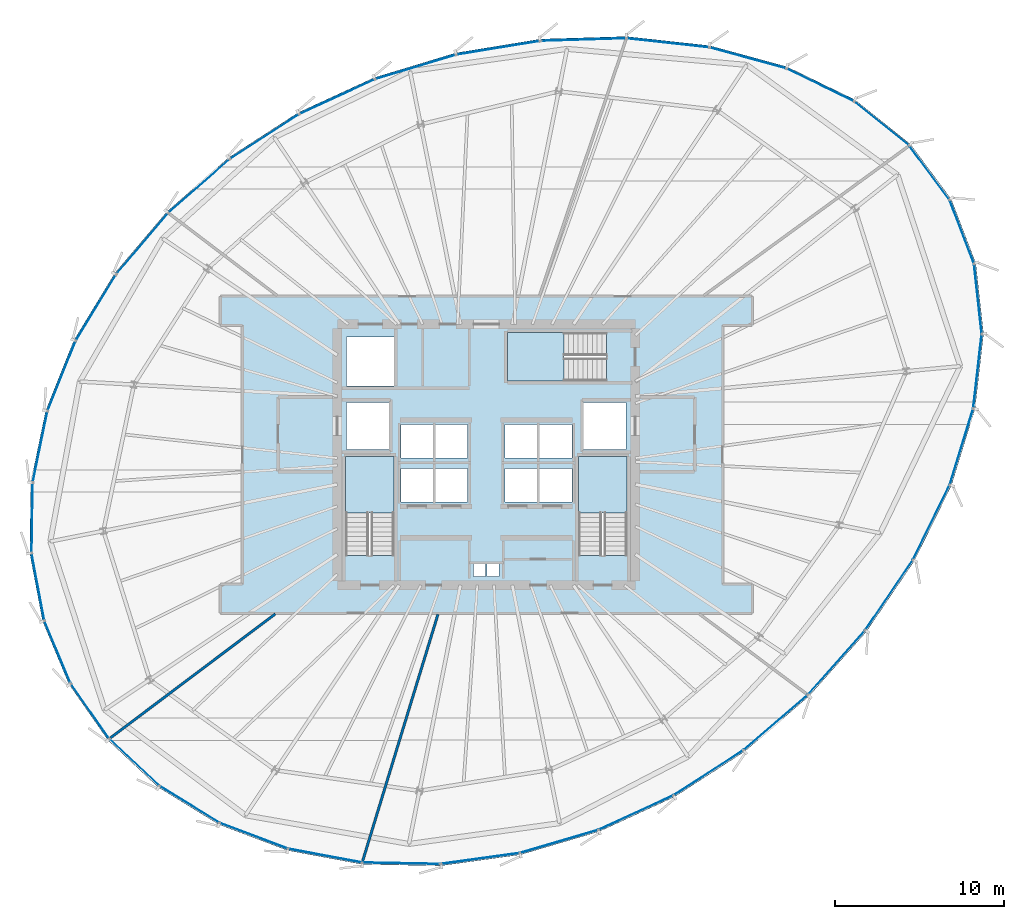
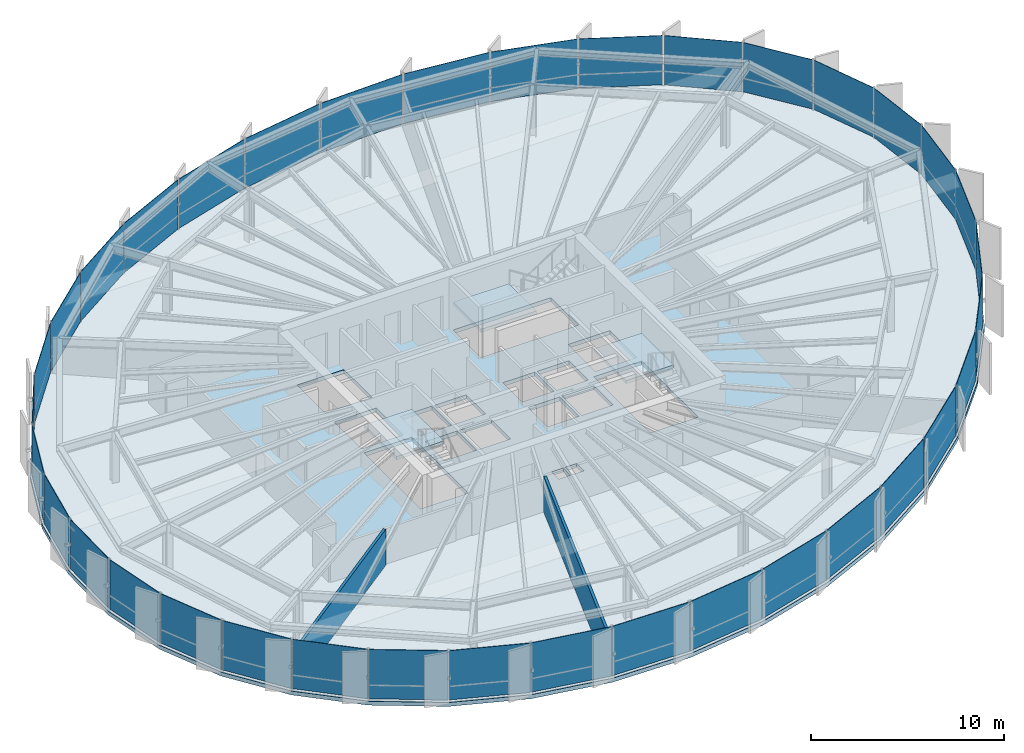
# One storey, part 28 of 36: 36 plates, 4 slabs, 2 walls, 9 elements without a shape of their own.
"""IFC4 building model written with IfcOpenShell, lengths in metres."""

from ifc_helpers import new_model, si_unit, direction, frame, frame_2d, origin, origin_2d, place, context, subcontext, project, spatial, polyline, rectangle, outline, extrude, source, transform, mapped, material, layer, layer_set, type_object, element, aggregate, save


model = new_model("IFC4")

# Units and contexts
model_context = context("Model", 3, precision=1e-05, world=origin(), true_north=direction((0.0, 1.0)))
body_context = subcontext(model_context, "Body", "Model", "MODEL_VIEW")
ifc_project = project(units=[si_unit("LENGTHUNIT", "METRE"), si_unit("AREAUNIT", "SQUARE_METRE"), si_unit("VOLUMEUNIT", "CUBIC_METRE"), si_unit("PLANEANGLEUNIT", "RADIAN"), si_unit("MASSUNIT", "GRAM", prefix="KILO"), si_unit("THERMODYNAMICTEMPERATUREUNIT", "KELVIN")], contexts=[model_context])

# Site, building, storey
site_placement = place(None, origin())
site = spatial("IfcSite", under=ifc_project, at=site_placement, CompositionType="ELEMENT")
building_placement = place(site_placement, origin())
building = spatial("IfcBuilding", under=site, at=building_placement, Name="Kethvar Cultural Tower", CompositionType="ELEMENT")
storey_placement = place(building_placement, frame((0.0, 0.0, 150.10009765625)))
storey = spatial("IfcBuildingStorey", under=building, at=storey_placement, Name="L38", CompositionType="ELEMENT", Elevation=150.10009765625)

# Stair, slab
ifc_material_1 = material(Name="Concrete C40/50", Category="concrete")
stair_type = type_object("IfcStairType", Name="ST-DOGLEG-135", PredefinedType="HALF_TURN_STAIR", material=ifc_material_1)
stair_1_placement = place(storey_placement, origin())
stair_1 = element("IfcStair", 1, at=stair_1_placement, inside=storey, type_object=stair_type, Name="L38 Core Exit Stair 1", PredefinedType="HALF_TURN_STAIR")
ifc_layer_1 = layer(ifc_material_1, 0.199951171875, Name="Concrete C40/50", Category="concrete")
ifc_layer_set_1 = layer_set([ifc_layer_1], Name="Concrete C40/50 (200 mm)")
slab_type_1 = type_object("IfcSlabType", Name="SL-STAIR-LANDING-200", PredefinedType="LANDING", material=ifc_layer_set_1)
slab_1_placement = place(storey_placement, frame((0.0, 0.0, 1.574951171875)))
slab_1 = element("IfcSlab", 2, at=slab_1_placement, type_object=slab_type_1, Name="ST-01 landing 1", PredefinedType="LANDING", context=body_context, shape_type="SweptSolid", body=[
    extrude(outline(polyline([(41.35009765625, 24.3701171875), (41.35009765625, 27.699951171875), (38.489990234375, 27.699951171875), (38.489990234375, 24.3701171875), (41.35009765625, 24.3701171875)])), origin(), (0.0, 0.0, 1.0), 0.199951171875),
])
aggregate(stair_1, [slab_1])

stair_2_placement = place(storey_placement, origin())
stair_2 = element("IfcStair", 3, at=stair_2_placement, inside=storey, type_object=stair_type, Name="L38 Core Exit Stair 2", PredefinedType="HALF_TURN_STAIR")
slab_2_placement = place(storey_placement, frame((0.0, 0.0, 1.574951171875)))
slab_2 = element("IfcSlab", 4, at=slab_2_placement, type_object=slab_type_1, Name="ST-02 landing 1", PredefinedType="LANDING", context=body_context, shape_type="SweptSolid", body=[
    extrude(outline(polyline([(55.110107421875, 24.3701171875), (55.110107421875, 27.699951171875), (52.25, 27.699951171875), (52.25, 24.3701171875), (55.110107421875, 24.3701171875)])), origin(), (0.0, 0.0, 1.0), 0.199951171875),
])
aggregate(stair_2, [slab_2])

stair_3_placement = place(storey_placement, origin())
stair_3 = element("IfcStair", 5, at=stair_3_placement, inside=storey, type_object=stair_type, Name="L38 Core Exit Stair 3", PredefinedType="HALF_TURN_STAIR")
slab_3_placement = place(storey_placement, frame((0.0, 0.0, 1.574951171875)))
slab_3 = element("IfcSlab", 6, at=slab_3_placement, type_object=slab_type_1, Name="ST-03 landing 1", PredefinedType="LANDING", context=body_context, shape_type="SweptSolid", body=[
    extrude(outline(polyline([(51.3798828125, 35.010009765625), (48.050048828125, 35.010009765625), (48.050048828125, 32.14990234375), (51.3798828125, 32.14990234375), (51.3798828125, 35.010009765625)])), origin(), (0.0, 0.0, 1.0), 0.199951171875),
])
aggregate(stair_3, [slab_3])

# Slab
ifc_layer_2 = layer(ifc_material_1, 0.25, Name="Concrete C40/50", Category="concrete")
ifc_layer_set_2 = layer_set([ifc_layer_2], Name="Concrete C40/50 (250 mm)")
slab_type_2 = type_object("IfcSlabType", Name="SL-TOW-250", PredefinedType="FLOOR", material=ifc_layer_set_2)
slab_4_placement = place(storey_placement, frame((0.0, 0.0, -0.25)))
element("IfcSlab", 7, at=slab_4_placement, inside=storey, type_object=slab_type_2, Name="L38 Structural Floor Slab", PredefinedType="FLOOR", context=body_context, shape_type="SweptSolid", body=[
    extrude(outline(polyline([(74.256103515625, 42.894287109375), (71.84716796875, 46.1396484375), (68.56591796875, 48.7666015625), (64.551513671875, 50.71728515625), (59.9833984375, 51.9638671875), (55.064208984375, 52.503173828125), (50.0, 52.350341796875), (44.9833984375, 51.531005859375), (40.1748046875, 50.07470703125), (35.68994140625, 48.009033203125), (31.577880859375, 45.3486328125), (27.928466796875, 42.155029296875), (24.852294921875, 38.525390625), (22.443115234375, 34.569580078125), (20.774169921875, 30.408203125), (19.895751953125, 26.167724609375), (19.834716796875, 21.976806640625), (20.59326171875, 17.962646484375), (22.14794921875, 14.247314453125), (24.451904296875, 10.944091796875), (27.4345703125, 8.15283203125), (31.005859375, 5.95849609375), (35.056884765625, 4.427978515625), (39.46484375, 3.607421875), (44.095703125, 3.522216796875), (48.80859375, 4.17431640625), (53.46044921875, 5.544677734375), (57.909912109375, 7.5908203125), (62.057373046875, 10.270751953125), (65.86328125, 13.55029296875), (69.243408203125, 17.34716796875), (72.085693359375, 21.541015625), (74.26611328125, 25.9833984375), (75.66162109375, 30.50830078125), (76.16552734375, 34.94287109375), (75.70556640625, 39.12109375), (74.256103515625, 42.894287109375)]), holes=[polyline([(38.489990234375, 21.85009765625), (38.489990234375, 27.699951171875), (41.35009765625, 27.699951171875), (41.35009765625, 21.85009765625), (38.489990234375, 21.85009765625)]), polyline([(52.25, 21.85009765625), (52.25, 27.699951171875), (55.110107421875, 27.699951171875), (55.110107421875, 21.85009765625), (52.25, 21.85009765625)]), polyline([(53.89990234375, 32.14990234375), (48.050048828125, 32.14990234375), (48.050048828125, 35.010009765625), (53.89990234375, 35.010009765625), (53.89990234375, 32.14990234375)]), polyline([(41.75, 27.0), (43.64990234375, 27.0), (43.64990234375, 25.0), (41.75, 25.0), (41.75, 27.0)]), polyline([(43.800048828125, 27.0), (45.699951171875, 27.0), (45.699951171875, 25.0), (43.800048828125, 25.0), (43.800048828125, 27.0)]), polyline([(47.89990234375, 27.0), (49.800048828125, 27.0), (49.800048828125, 25.0), (47.89990234375, 25.0), (47.89990234375, 27.0)]), polyline([(49.949951171875, 27.0), (51.85009765625, 27.0), (51.85009765625, 25.0), (49.949951171875, 25.0), (49.949951171875, 27.0)]), polyline([(41.75, 29.60009765625), (43.64990234375, 29.60009765625), (43.64990234375, 27.60009765625), (41.75, 27.60009765625), (41.75, 29.60009765625)]), polyline([(43.800048828125, 29.60009765625), (45.699951171875, 29.60009765625), (45.699951171875, 27.60009765625), (43.800048828125, 27.60009765625), (43.800048828125, 29.60009765625)]), polyline([(47.89990234375, 29.60009765625), (49.800048828125, 29.60009765625), (49.800048828125, 27.60009765625), (47.89990234375, 27.60009765625), (47.89990234375, 29.60009765625)]), polyline([(49.949951171875, 29.60009765625), (51.85009765625, 29.60009765625), (51.85009765625, 27.60009765625), (49.949951171875, 27.60009765625), (49.949951171875, 29.60009765625)]), polyline([(38.550048828125, 30.89990234375), (41.050048828125, 30.89990234375), (41.050048828125, 28.10009765625), (38.550048828125, 28.10009765625), (38.550048828125, 30.89990234375)]), polyline([(52.550048828125, 30.89990234375), (55.050048828125, 30.89990234375), (55.050048828125, 28.10009765625), (52.550048828125, 28.10009765625), (52.550048828125, 30.89990234375)]), polyline([(38.550048828125, 34.75), (41.35009765625, 34.75), (41.35009765625, 31.85009765625), (38.550048828125, 31.85009765625), (38.550048828125, 34.75)]), polyline([(46.050048828125, 21.35009765625), (46.75, 21.35009765625), (46.75, 20.60009765625), (46.050048828125, 20.60009765625), (46.050048828125, 21.35009765625)]), polyline([(46.85009765625, 21.35009765625), (47.550048828125, 21.35009765625), (47.550048828125, 20.60009765625), (46.85009765625, 20.60009765625), (46.85009765625, 21.35009765625)])]), origin(), (0.0, 0.0, 1.0), 0.25),
])

# Curtain wall, plate
ifc_material_2 = material(Name="Aluminium 6063-T6", Category="aluminium")
ifc_layer_3 = layer(ifc_material_2, 0.179931640625, Name="Aluminium 6063-T6", Category="aluminium")
ifc_layer_set_3 = layer_set([ifc_layer_3], Name="Aluminium 6063-T6 (180 mm)")
curtain_wall_type = type_object("IfcCurtainWallType", Name="CW-SYS-04-Z34", PredefinedType="NOTDEFINED", material=ifc_layer_set_3)
curtain_wall_1_placement = place(storey_placement, origin())
curtain_wall_1 = element("IfcCurtainWall", 8, at=curtain_wall_1_placement, inside=storey, type_object=curtain_wall_type, Name="L38 Curtain Wall Run 01", PredefinedType="NOTDEFINED")
ifc_material_3 = material(Name="Insulated Low-E Solar Glass", Category="glass")
ifc_layer_4 = layer(ifc_material_3, 0.030029296875, Name="Insulated Low-E Solar Glass", Category="glass")
ifc_layer_set_4 = layer_set([ifc_layer_4], Name="Insulated Low-E Solar Glass (30 mm)")
plate_type = type_object("IfcPlateType", Name="CW-SYS-04-Z34-PNL", PredefinedType="CURTAIN_PANEL", material=ifc_layer_set_4)
shared_shape_1 = source(origin(), body_context, "Body", "SweptSolid", [
    extrude(rectangle(XDim=3.95556640625, YDim=0.030029296875, at=origin_2d()), origin(), (0.0, 0.0, 1.0), 3.1201171875),
])
plate_1_placement = place(storey_placement, frame((72.96337890625, 44.451416015625, 0.08984375), z_axis=(0.0, 0.0, 1.0), x_axis=(-0.596028691853, 0.802963136444, 0.0)))
plate_1 = element("IfcPlate", 9, at=plate_1_placement, type_object=plate_type, Name="CW-L38-R01 Vision Glazing Panel 1", PredefinedType="CURTAIN_PANEL", context=body_context, shape_type="MappedRepresentation", body=[
    mapped(shared_shape_1, transform((0.0, 0.0, 0.0), scale=1.0)),
])

curtain_wall_2_placement = place(storey_placement, origin())
curtain_wall_2 = element("IfcCurtainWall", 10, at=curtain_wall_2_placement, inside=storey, type_object=curtain_wall_type, Name="L38 Curtain Wall Run 06", PredefinedType="NOTDEFINED")
plate_2_placement = place(storey_placement, frame((74.878173828125, 40.96826171875, 0.08984375), z_axis=(0.0, 0.0, 1.0), x_axis=(-0.358596055577, 0.933492832819, 0.0)))
plate_2 = element("IfcPlate", 11, at=plate_2_placement, type_object=plate_type, Name="CW-L38-R06 Vision Glazing Panel 6", PredefinedType="CURTAIN_PANEL", context=body_context, shape_type="MappedRepresentation", body=[
    mapped(shared_shape_1, transform((0.0, 0.0, 0.0), scale=1.0)),
])

# Plate
shared_shape_2 = source(origin(), body_context, "Body", "SweptSolid", [
    extrude(rectangle(XDim=4.116943359375, YDim=0.030029296875, at=origin_2d()), origin(), (0.0, 0.0, 1.0), 3.1201171875),
])
plate_3_placement = place(storey_placement, frame((70.1376953125, 47.3671875, 0.08984375), z_axis=(0.0, 0.0, 1.0), x_axis=(-0.78063770274, 0.624983821439, 0.0)))
plate_3 = element("IfcPlate", 12, at=plate_3_placement, type_object=plate_type, Name="CW-L38-R01 Vision Glazing Panel 2", PredefinedType="CURTAIN_PANEL", context=body_context, shape_type="MappedRepresentation", body=[
    mapped(shared_shape_2, transform((0.0, 0.0, 0.0), scale=1.0)),
])

plate_4_placement = place(storey_placement, frame((75.826171875, 37.02001953125, 0.08984375), z_axis=(0.0, 0.0, 1.0), x_axis=(-0.109404695129, 0.993997290079, 0.0)))
plate_4 = element("IfcPlate", 13, at=plate_4_placement, type_object=plate_type, Name="CW-L38-R06 Vision Glazing Panel 5", PredefinedType="CURTAIN_PANEL", context=body_context, shape_type="MappedRepresentation", body=[
    mapped(shared_shape_2, transform((0.0, 0.0, 0.0), scale=1.0)),
])

shared_shape_3 = source(origin(), body_context, "Body", "SweptSolid", [
    extrude(rectangle(XDim=4.376953125, YDim=0.030029296875, at=origin_2d()), origin(), (0.0, 0.0, 1.0), 3.1201171875),
])
plate_5_placement = place(storey_placement, frame((66.510498046875, 49.64306640625, 0.08984375), z_axis=(0.0, 0.0, 1.0), x_axis=(-0.899435765812, 0.437052975254, 0.0)))
plate_5 = element("IfcPlate", 14, at=plate_5_placement, type_object=plate_type, Name="CW-L38-R01 Vision Glazing Panel 3", PredefinedType="CURTAIN_PANEL", context=body_context, shape_type="MappedRepresentation", body=[
    mapped(shared_shape_3, transform((0.0, 0.0, 0.0), scale=1.0)),
])

shared_shape_4 = source(origin(), body_context, "Body", "SweptSolid", [
    extrude(rectangle(XDim=4.648681640625, YDim=0.030029296875, at=origin_2d()), origin(), (0.0, 0.0, 1.0), 3.1201171875),
])
plate_6_placement = place(storey_placement, frame((62.238525390625, 51.234619140625, 0.08984375), z_axis=(0.0, 0.0, 1.0), x_axis=(-0.96473221354, 0.263233273272, 0.0)))
plate_6 = element("IfcPlate", 15, at=plate_6_placement, type_object=plate_type, Name="CW-L38-R01 Vision Glazing Panel 4", PredefinedType="CURTAIN_PANEL", context=body_context, shape_type="MappedRepresentation", body=[
    mapped(shared_shape_4, transform((0.0, 0.0, 0.0), scale=1.0)),
])

plate_7_placement = place(storey_placement, frame((74.85888671875, 28.2783203125, 0.08984375), z_axis=(0.0, 0.0, 1.0), x_axis=(0.294674166449, 0.955597789673, 0.0)))
plate_7 = element("IfcPlate", 16, at=plate_7_placement, type_object=plate_type, Name="CW-L38-R06 Vision Glazing Panel 3", PredefinedType="CURTAIN_PANEL", context=body_context, shape_type="MappedRepresentation", body=[
    mapped(shared_shape_4, transform((0.0, 0.0, 0.0), scale=1.0)),
])

shared_shape_5 = source(origin(), body_context, "Body", "SweptSolid", [
    extrude(rectangle(XDim=4.8623046875, YDim=0.030029296875, at=origin_2d()), origin(), (0.0, 0.0, 1.0), 3.1201171875),
])
plate_8_placement = place(storey_placement, frame((57.51171875, 52.1240234375, 0.08984375), z_axis=(0.0, 0.0, 1.0), x_axis=(-0.994044932259, 0.108970971591, 0.0)))
plate_8 = element("IfcPlate", 17, at=plate_8_placement, type_object=plate_type, Name="CW-L38-R01 Vision Glazing Panel 5", PredefinedType="CURTAIN_PANEL", context=body_context, shape_type="MappedRepresentation", body=[
    mapped(shared_shape_5, transform((0.0, 0.0, 0.0), scale=1.0)),
])

plate_9_placement = place(storey_placement, frame((73.0771484375, 23.810791015625, 0.08984375), z_axis=(0.0, 0.0, 1.0), x_axis=(0.44061300803, 0.897697152248, 0.0)))
plate_9 = element("IfcPlate", 18, at=plate_9_placement, type_object=plate_type, Name="CW-L38-R06 Vision Glazing Panel 2", PredefinedType="CURTAIN_PANEL", context=body_context, shape_type="MappedRepresentation", body=[
    mapped(shared_shape_5, transform((0.0, 0.0, 0.0), scale=1.0)),
])

shared_shape_6 = source(origin(), body_context, "Body", "SweptSolid", [
    extrude(rectangle(XDim=4.97998046875, YDim=0.030029296875, at=origin_2d()), origin(), (0.0, 0.0, 1.0), 3.1201171875),
])
plate_10_placement = place(storey_placement, frame((52.535400390625, 52.31689453125, 0.08984375), z_axis=(0.0, 0.0, 1.0), x_axis=(-0.999545769248, -0.030137272261, 0.0)))
plate_10 = element("IfcPlate", 19, at=plate_10_placement, type_object=plate_type, Name="CW-L38-R01 Vision Glazing Panel 6", PredefinedType="CURTAIN_PANEL", context=body_context, shape_type="MappedRepresentation", body=[
    mapped(shared_shape_6, transform((0.0, 0.0, 0.0), scale=1.0)),
])

aggregate(curtain_wall_1, [plate_1, plate_3, plate_5, plate_6, plate_8, plate_10])

plate_11_placement = place(storey_placement, frame((70.573486328125, 19.505859375, 0.08984375), z_axis=(0.0, 0.0, 1.0), x_axis=(0.56104359422, 0.827786255856, 0.0)))
plate_11 = element("IfcPlate", 20, at=plate_11_placement, type_object=plate_type, Name="CW-L38-R06 Vision Glazing Panel 1", PredefinedType="CURTAIN_PANEL", context=body_context, shape_type="MappedRepresentation", body=[
    mapped(shared_shape_6, transform((0.0, 0.0, 0.0), scale=1.0)),
])

# Curtain wall, plate
curtain_wall_3_placement = place(storey_placement, origin())
curtain_wall_3 = element("IfcCurtainWall", 21, at=curtain_wall_3_placement, inside=storey, type_object=curtain_wall_type, Name="L38 Curtain Wall Run 02", PredefinedType="NOTDEFINED")
shared_shape_7 = source(origin(), body_context, "Body", "SweptSolid", [
    extrude(rectangle(XDim=4.996826171875, YDim=0.030029296875, at=origin_2d()), origin(), (0.0, 0.0, 1.0), 3.1201171875),
])
plate_12_placement = place(storey_placement, frame((47.509521484375, 51.83203125, 0.08984375), z_axis=(0.0, 0.0, 1.0), x_axis=(-0.986923322278, -0.161190433782, 0.0)))
plate_12 = element("IfcPlate", 22, at=plate_12_placement, type_object=plate_type, Name="CW-L38-R02 Vision Glazing Panel 1", PredefinedType="CURTAIN_PANEL", context=body_context, shape_type="MappedRepresentation", body=[
    mapped(shared_shape_7, transform((0.0, 0.0, 0.0), scale=1.0)),
])

curtain_wall_4_placement = place(storey_placement, origin())
curtain_wall_4 = element("IfcCurtainWall", 23, at=curtain_wall_4_placement, inside=storey, type_object=curtain_wall_type, Name="L38 Curtain Wall Run 05", PredefinedType="NOTDEFINED")
plate_13_placement = place(storey_placement, frame((67.47119140625, 15.52197265625, 0.08984375), z_axis=(0.0, 0.0, 1.0), x_axis=(0.664917545233, 0.746916767814, 0.0)))
plate_13 = element("IfcPlate", 24, at=plate_13_placement, type_object=plate_type, Name="CW-L38-R05 Vision Glazing Panel 6", PredefinedType="CURTAIN_PANEL", context=body_context, shape_type="MappedRepresentation", body=[
    mapped(shared_shape_7, transform((0.0, 0.0, 0.0), scale=1.0)),
])

# Plate
shared_shape_8 = source(origin(), body_context, "Body", "SweptSolid", [
    extrude(rectangle(XDim=4.937744140625, YDim=0.030029296875, at=origin_2d()), origin(), (0.0, 0.0, 1.0), 3.1201171875),
])
plate_14_placement = place(storey_placement, frame((42.61083984375, 50.697509765625, 0.08984375), z_axis=(0.0, 0.0, 1.0), x_axis=(-0.957077022907, -0.289833697531, 0.0)))
plate_14 = element("IfcPlate", 25, at=plate_14_placement, type_object=plate_type, Name="CW-L38-R02 Vision Glazing Panel 2", PredefinedType="CURTAIN_PANEL", context=body_context, shape_type="MappedRepresentation", body=[
    mapped(shared_shape_8, transform((0.0, 0.0, 0.0), scale=1.0)),
])

plate_15_placement = place(storey_placement, frame((63.888427734375, 11.993896484375, 0.08984375), z_axis=(0.0, 0.0, 1.0), x_axis=(0.757542198309, 0.652786196072, 0.0)))
plate_15 = element("IfcPlate", 26, at=plate_15_placement, type_object=plate_type, Name="CW-L38-R05 Vision Glazing Panel 5", PredefinedType="CURTAIN_PANEL", context=body_context, shape_type="MappedRepresentation", body=[
    mapped(shared_shape_8, transform((0.0, 0.0, 0.0), scale=1.0)),
])

shared_shape_9 = source(origin(), body_context, "Body", "SweptSolid", [
    extrude(rectangle(XDim=4.851318359375, YDim=0.030029296875, at=origin_2d()), origin(), (0.0, 0.0, 1.0), 3.1201171875),
])
plate_16_placement = place(storey_placement, frame((37.978515625, 48.942138671875, 0.08984375), z_axis=(0.0, 0.0, 1.0), x_axis=(-0.908281956716, -0.418358562843, 0.0)))
plate_16 = element("IfcPlate", 27, at=plate_16_placement, type_object=plate_type, Name="CW-L38-R02 Vision Glazing Panel 3", PredefinedType="CURTAIN_PANEL", context=body_context, shape_type="MappedRepresentation", body=[
    mapped(shared_shape_9, transform((0.0, 0.0, 0.0), scale=1.0)),
])

plate_17_placement = place(storey_placement, frame((59.924072265625, 9.023193359375, 0.08984375), z_axis=(0.0, 0.0, 1.0), x_axis=(0.839913627286, 0.542720092405, 0.0)))
plate_17 = element("IfcPlate", 28, at=plate_17_placement, type_object=plate_type, Name="CW-L38-R05 Vision Glazing Panel 4", PredefinedType="CURTAIN_PANEL", context=body_context, shape_type="MappedRepresentation", body=[
    mapped(shared_shape_9, transform((0.0, 0.0, 0.0), scale=1.0)),
])

shared_shape_10 = source(origin(), body_context, "Body", "SweptSolid", [
    extrude(rectangle(XDim=4.811279296875, YDim=0.030029296875, at=origin_2d()), origin(), (0.0, 0.0, 1.0), 3.1201171875),
])
plate_18_placement = place(storey_placement, frame((33.69384765625, 46.586669921875, 0.08984375), z_axis=(0.0, 0.0, 1.0), x_axis=(-0.839600903658, -0.543203757882, 0.0)))
plate_18 = element("IfcPlate", 29, at=plate_18_placement, type_object=plate_type, Name="CW-L38-R02 Vision Glazing Panel 4", PredefinedType="CURTAIN_PANEL", context=body_context, shape_type="MappedRepresentation", body=[
    mapped(shared_shape_10, transform((0.0, 0.0, 0.0), scale=1.0)),
])

shared_shape_11 = source(origin(), body_context, "Body", "SweptSolid", [
    extrude(rectangle(XDim=4.76318359375, YDim=0.030029296875, at=origin_2d()), origin(), (0.0, 0.0, 1.0), 3.1201171875),
])
plate_19_placement = place(storey_placement, frame((29.82568359375, 43.669189453125, 0.08984375), z_axis=(0.0, 0.0, 1.0), x_axis=(-0.75255284799, -0.658531860263, 0.0)))
plate_19 = element("IfcPlate", 30, at=plate_19_placement, type_object=plate_type, Name="CW-L38-R02 Vision Glazing Panel 5", PredefinedType="CURTAIN_PANEL", context=body_context, shape_type="MappedRepresentation", body=[
    mapped(shared_shape_11, transform((0.0, 0.0, 0.0), scale=1.0)),
])

plate_20_placement = place(storey_placement, frame((51.103515625, 4.965087890625, 0.08984375), z_axis=(0.0, 0.0, 1.0), x_axis=(0.959254820044, 0.282542368898, 0.0)))
plate_20 = element("IfcPlate", 31, at=plate_20_placement, type_object=plate_type, Name="CW-L38-R05 Vision Glazing Panel 2", PredefinedType="CURTAIN_PANEL", context=body_context, shape_type="MappedRepresentation", body=[
    mapped(shared_shape_11, transform((0.0, 0.0, 0.0), scale=1.0)),
])

shared_shape_12 = source(origin(), body_context, "Body", "SweptSolid", [
    extrude(rectangle(XDim=4.671630859375, YDim=0.030029296875, at=origin_2d()), origin(), (0.0, 0.0, 1.0), 3.1201171875),
])
plate_21_placement = place(storey_placement, frame((26.474365234375, 40.26904296875, 0.08984375), z_axis=(0.0, 0.0, 1.0), x_axis=(-0.646523518642, -0.762894055451, 0.0)))
plate_21 = element("IfcPlate", 32, at=plate_21_placement, type_object=plate_type, Name="CW-L38-R02 Vision Glazing Panel 6", PredefinedType="CURTAIN_PANEL", context=body_context, shape_type="MappedRepresentation", body=[
    mapped(shared_shape_12, transform((0.0, 0.0, 0.0), scale=1.0)),
])

aggregate(curtain_wall_3, [plate_12, plate_14, plate_16, plate_18, plate_19, plate_21])

# Curtain wall, plate
curtain_wall_5_placement = place(storey_placement, origin())
curtain_wall_5 = element("IfcCurtainWall", 33, at=curtain_wall_5_placement, inside=storey, type_object=curtain_wall_type, Name="L38 Curtain Wall Run 03", PredefinedType="NOTDEFINED")
shared_shape_13 = source(origin(), body_context, "Body", "SweptSolid", [
    extrude(rectangle(XDim=4.545166015625, YDim=0.030029296875, at=origin_2d()), origin(), (0.0, 0.0, 1.0), 3.1201171875),
])
plate_22_placement = place(storey_placement, frame((23.74169921875, 36.490234375, 0.08984375), z_axis=(0.0, 0.0, 1.0), x_axis=(-0.520160229669, -0.854068694819, 0.0)))
plate_22 = element("IfcPlate", 34, at=plate_22_placement, type_object=plate_type, Name="CW-L38-R03 Vision Glazing Panel 1", PredefinedType="CURTAIN_PANEL", context=body_context, shape_type="MappedRepresentation", body=[
    mapped(shared_shape_13, transform((0.0, 0.0, 0.0), scale=1.0)),
])

curtain_wall_6_placement = place(storey_placement, origin())
curtain_wall_6 = element("IfcCurtainWall", 35, at=curtain_wall_6_placement, inside=storey, type_object=curtain_wall_type, Name="L38 Curtain Wall Run 04", PredefinedType="NOTDEFINED")
plate_23_placement = place(storey_placement, frame((41.7822265625, 3.6748046875, 0.08984375), z_axis=(0.0, 0.0, 1.0), x_axis=(0.999829838072, -0.018447083792, 0.0)))
plate_23 = element("IfcPlate", 36, at=plate_23_placement, type_object=plate_type, Name="CW-L38-R04 Vision Glazing Panel 6", PredefinedType="CURTAIN_PANEL", context=body_context, shape_type="MappedRepresentation", body=[
    mapped(shared_shape_13, transform((0.0, 0.0, 0.0), scale=1.0)),
])

# Plate
shared_shape_14 = source(origin(), body_context, "Body", "SweptSolid", [
    extrude(rectangle(XDim=4.397216796875, YDim=0.030029296875, at=origin_2d()), origin(), (0.0, 0.0, 1.0), 3.1201171875),
])
plate_24_placement = place(storey_placement, frame((21.710693359375, 32.447998046875, 0.08984375), z_axis=(0.0, 0.0, 1.0), x_axis=(-0.372275145571, -0.928122414335, 0.0)))
plate_24 = element("IfcPlate", 37, at=plate_24_placement, type_object=plate_type, Name="CW-L38-R03 Vision Glazing Panel 2", PredefinedType="CURTAIN_PANEL", context=body_context, shape_type="MappedRepresentation", body=[
    mapped(shared_shape_14, transform((0.0, 0.0, 0.0), scale=1.0)),
])

plate_25_placement = place(storey_placement, frame((37.281005859375, 4.125732421875, 0.08984375), z_axis=(0.0, 0.0, 1.0), x_axis=(0.983111476871, -0.183007715805, 0.0)))
plate_25 = element("IfcPlate", 38, at=plate_25_placement, type_object=plate_type, Name="CW-L38-R04 Vision Glazing Panel 5", PredefinedType="CURTAIN_PANEL", context=body_context, shape_type="MappedRepresentation", body=[
    mapped(shared_shape_14, transform((0.0, 0.0, 0.0), scale=1.0)),
])

shared_shape_15 = source(origin(), body_context, "Body", "SweptSolid", [
    extrude(rectangle(XDim=4.244140625, YDim=0.030029296875, at=origin_2d()), origin(), (0.0, 0.0, 1.0), 3.1201171875),
])
plate_26_placement = place(storey_placement, frame((20.442626953125, 28.265625, 0.08984375), z_axis=(0.0, 0.0, 1.0), x_axis=(-0.202838567065, -0.979212191362, 0.0)))
plate_26 = element("IfcPlate", 39, at=plate_26_placement, type_object=plate_type, Name="CW-L38-R03 Vision Glazing Panel 3", PredefinedType="CURTAIN_PANEL", context=body_context, shape_type="MappedRepresentation", body=[
    mapped(shared_shape_15, transform((0.0, 0.0, 0.0), scale=1.0)),
])

plate_27_placement = place(storey_placement, frame((33.0703125, 5.296142578125, 0.08984375), z_axis=(0.0, 0.0, 1.0), x_axis=(0.93545636886, -0.353442190407, 0.0)))
plate_27 = element("IfcPlate", 40, at=plate_27_placement, type_object=plate_type, Name="CW-L38-R04 Vision Glazing Panel 4", PredefinedType="CURTAIN_PANEL", context=body_context, shape_type="MappedRepresentation", body=[
    mapped(shared_shape_15, transform((0.0, 0.0, 0.0), scale=1.0)),
])

shared_shape_16 = source(origin(), body_context, "Body", "SweptSolid", [
    extrude(rectangle(XDim=4.10498046875, YDim=0.030029296875, at=origin_2d()), origin(), (0.0, 0.0, 1.0), 3.1201171875),
])
plate_28_placement = place(storey_placement, frame((19.97509765625, 24.070556640625, 0.08984375), z_axis=(0.0, 0.0, 1.0), x_axis=(-0.014538080502, -0.999894316523, 0.0)))
plate_28 = element("IfcPlate", 41, at=plate_28_placement, type_object=plate_type, Name="CW-L38-R03 Vision Glazing Panel 4", PredefinedType="CURTAIN_PANEL", context=body_context, shape_type="MappedRepresentation", body=[
    mapped(shared_shape_16, transform((0.0, 0.0, 0.0), scale=1.0)),
])

plate_29_placement = place(storey_placement, frame((29.27783203125, 7.1494140625, 0.08984375), z_axis=(0.0, 0.0, 1.0), x_axis=(0.852019450226, -0.523510130213, 0.0)))
plate_29 = element("IfcPlate", 42, at=plate_29_placement, type_object=plate_type, Name="CW-L38-R04 Vision Glazing Panel 3", PredefinedType="CURTAIN_PANEL", context=body_context, shape_type="MappedRepresentation", body=[
    mapped(shared_shape_16, transform((0.0, 0.0, 0.0), scale=1.0)),
])

shared_shape_17 = source(origin(), body_context, "Body", "SweptSolid", [
    extrude(rectangle(XDim=3.998779296875, YDim=0.030029296875, at=origin_2d()), origin(), (0.0, 0.0, 1.0), 3.1201171875),
])
plate_30_placement = place(storey_placement, frame((20.322265625, 19.989990234375, 0.08984375), z_axis=(0.0, 0.0, 1.0), x_axis=(0.185666615386, -0.982612796544, 0.0)))
plate_30 = element("IfcPlate", 43, at=plate_30_placement, type_object=plate_type, Name="CW-L38-R03 Vision Glazing Panel 5", PredefinedType="CURTAIN_PANEL", context=body_context, shape_type="MappedRepresentation", body=[
    mapped(shared_shape_17, transform((0.0, 0.0, 0.0), scale=1.0)),
])

plate_31_placement = place(storey_placement, frame((26.018310546875, 9.62890625, 0.08984375), z_axis=(0.0, 0.0, 1.0), x_axis=(0.730174201887, -0.683261029841, 0.0)))
plate_31 = element("IfcPlate", 44, at=plate_31_placement, type_object=plate_type, Name="CW-L38-R04 Vision Glazing Panel 2", PredefinedType="CURTAIN_PANEL", context=body_context, shape_type="MappedRepresentation", body=[
    mapped(shared_shape_17, transform((0.0, 0.0, 0.0), scale=1.0)),
])

shared_shape_18 = source(origin(), body_context, "Body", "SweptSolid", [
    extrude(rectangle(XDim=3.94091796875, YDim=0.030029296875, at=origin_2d()), origin(), (0.0, 0.0, 1.0), 3.1201171875),
])
plate_32_placement = place(storey_placement, frame((21.47216796875, 16.1474609375, 0.08984375), z_axis=(0.0, 0.0, 1.0), x_axis=(0.386034849179, -0.922484197815, 0.0)))
plate_32 = element("IfcPlate", 45, at=plate_32_placement, type_object=plate_type, Name="CW-L38-R03 Vision Glazing Panel 6", PredefinedType="CURTAIN_PANEL", context=body_context, shape_type="MappedRepresentation", body=[
    mapped(shared_shape_18, transform((0.0, 0.0, 0.0), scale=1.0)),
])

aggregate(curtain_wall_5, [plate_22, plate_24, plate_26, plate_28, plate_30, plate_32])

plate_33_placement = place(storey_placement, frame((23.39013671875, 12.65869140625, 0.08984375), z_axis=(0.0, 0.0, 1.0), x_axis=(0.572045668722, -0.820221770558, 0.0)))
plate_33 = element("IfcPlate", 46, at=plate_33_placement, type_object=plate_type, Name="CW-L38-R04 Vision Glazing Panel 1", PredefinedType="CURTAIN_PANEL", context=body_context, shape_type="MappedRepresentation", body=[
    mapped(shared_shape_18, transform((0.0, 0.0, 0.0), scale=1.0)),
])

aggregate(curtain_wall_6, [plate_33, plate_31, plate_29, plate_27, plate_25, plate_23])

shared_shape_19 = source(origin(), body_context, "Body", "SweptSolid", [
    extrude(rectangle(XDim=4.67138671875, YDim=0.030029296875, at=origin_2d()), origin(), (0.0, 0.0, 1.0), 3.1201171875),
])
plate_34_placement = place(storey_placement, frame((46.43701171875, 3.957275390625, 0.08984375), z_axis=(0.0, 0.0, 1.0), x_axis=(0.990557380089, 0.137098784642, 0.0)))
plate_34 = element("IfcPlate", 47, at=plate_34_placement, type_object=plate_type, Name="CW-L38-R05 Vision Glazing Panel 1", PredefinedType="CURTAIN_PANEL", context=body_context, shape_type="MappedRepresentation", body=[
    mapped(shared_shape_19, transform((0.0, 0.0, 0.0), scale=1.0)),
])

shared_shape_20 = source(origin(), body_context, "Body", "SweptSolid", [
    extrude(rectangle(XDim=4.81103515625, YDim=0.030029296875, at=origin_2d()), origin(), (0.0, 0.0, 1.0), 3.1201171875),
])
plate_35_placement = place(storey_placement, frame((55.639404296875, 6.667724609375, 0.08984375), z_axis=(0.0, 0.0, 1.0), x_axis=(0.90853005575, 0.417819503851, 0.0)))
plate_35 = element("IfcPlate", 48, at=plate_35_placement, type_object=plate_type, Name="CW-L38-R05 Vision Glazing Panel 3", PredefinedType="CURTAIN_PANEL", context=body_context, shape_type="MappedRepresentation", body=[
    mapped(shared_shape_20, transform((0.0, 0.0, 0.0), scale=1.0)),
])

aggregate(curtain_wall_4, [plate_34, plate_20, plate_35, plate_17, plate_15, plate_13])

shared_shape_21 = source(origin(), body_context, "Body", "SweptSolid", [
    extrude(rectangle(XDim=4.376708984375, YDim=0.030029296875, at=origin_2d()), origin(), (0.0, 0.0, 1.0), 3.1201171875),
])
plate_36_placement = place(storey_placement, frame((75.80419921875, 32.738037109375, 0.08984375), z_axis=(0.0, 0.0, 1.0), x_axis=(0.112925751754, 0.993603429237, 0.0)))
plate_36 = element("IfcPlate", 49, at=plate_36_placement, type_object=plate_type, Name="CW-L38-R06 Vision Glazing Panel 4", PredefinedType="CURTAIN_PANEL", context=body_context, shape_type="MappedRepresentation", body=[
    mapped(shared_shape_21, transform((0.0, 0.0, 0.0), scale=1.0)),
])

aggregate(curtain_wall_2, [plate_11, plate_9, plate_7, plate_36, plate_4, plate_2])

# Walls
ifc_material_4 = material(Name="Gypsum Acoustic Partition")
ifc_layer_5 = layer(ifc_material_4, 0.14990234375, Name="Gypsum Acoustic Partition")
ifc_layer_set_5 = layer_set([ifc_layer_5], Name="Gypsum Acoustic Partition (150 mm)")
wall_type = type_object("IfcWallType", Name="WL-PART-150", PredefinedType="PARTITIONING", material=ifc_layer_set_5)
wall_1_placement = place(storey_placement, frame((34.339599609375, 18.40185546875, 0.0), z_axis=(0.0, 0.0, 1.0), x_axis=(-0.799294488721, -0.600939531317, 0.0)))
element("IfcWall", 50, at=wall_1_placement, inside=storey, type_object=wall_type, Name="L38 Radial Partition Wall 01", PredefinedType="PARTITIONING", context=body_context, shape_type="SweptSolid", body=[
    extrude(rectangle(XDim=12.176513671875, YDim=0.14990234375, at=frame_2d((6.08837890625, 0.0))), origin(), (0.0, 0.0, 1.0), 2.27978515625),
])
wall_2_placement = place(storey_placement, frame((43.941650390625, 18.37353515625, 0.0), z_axis=(0.0, 0.0, 1.0), x_axis=(-0.292008300106, -0.95641578441, 0.0)))
element("IfcWall", 51, at=wall_2_placement, inside=storey, type_object=wall_type, Name="L38 Radial Partition Wall 02", PredefinedType="PARTITIONING", context=body_context, shape_type="SweptSolid", body=[
    extrude(rectangle(XDim=15.22412109375, YDim=0.14990234375, at=frame_2d((7.612060546875, 0.0))), origin(), (0.0, 0.0, 1.0), 2.27978515625),
])

save(model, "model.ifc")
